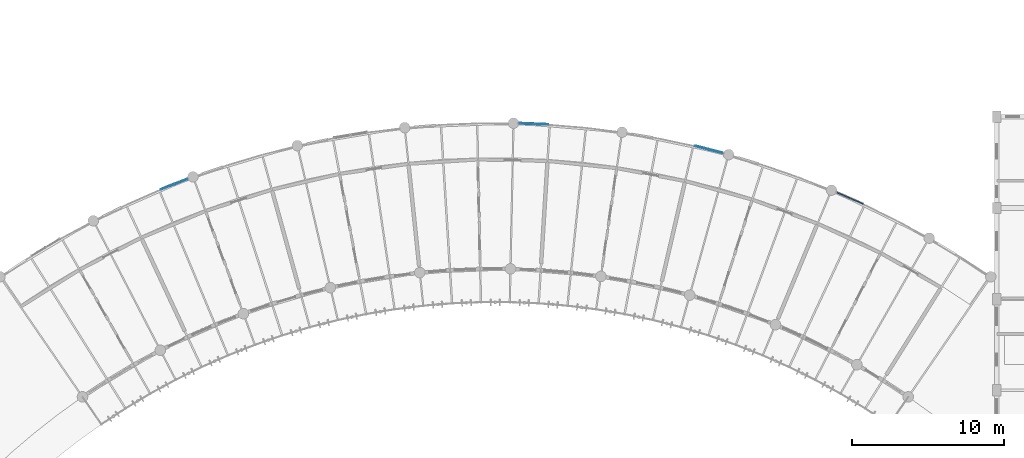
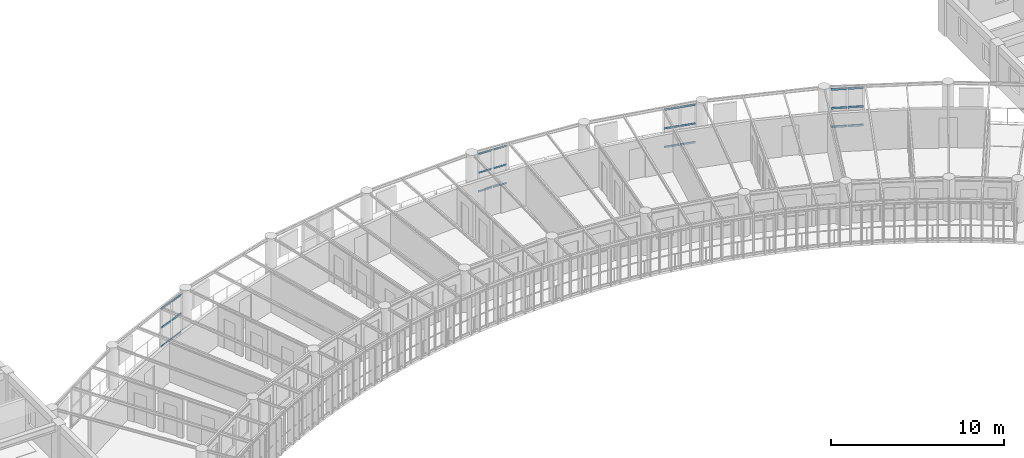
# One storey, part 42 of 100: 24 members, 4 elements without a shape of their own.
"""IFC4 building model written with IfcOpenShell, lengths in metres."""

from ifc_helpers import new_model, si_unit, direction, frame, origin, origin_2d, place, context, subcontext, project, spatial, rectangle, extrude, material, layer, layer_set, material_profile, profile_set, type_object, element, aggregate, save


model = new_model("IFC4")

# Units and contexts
model_context = context("Model", 3, precision=1e-05, world=origin(), true_north=direction((0.0, 1.0)))
body_context = subcontext(model_context, "Body", "Model", "MODEL_VIEW")
ifc_project = project(units=[si_unit("LENGTHUNIT", "METRE"), si_unit("AREAUNIT", "SQUARE_METRE"), si_unit("VOLUMEUNIT", "CUBIC_METRE"), si_unit("PLANEANGLEUNIT", "RADIAN"), si_unit("MASSUNIT", "GRAM", prefix="KILO"), si_unit("POWERUNIT", "WATT"), si_unit("THERMODYNAMICTEMPERATUREUNIT", "KELVIN")], contexts=[model_context])

# Site, building, storey
site_placement = place(None, origin())
site = spatial("IfcSite", under=ifc_project, at=site_placement, CompositionType="ELEMENT")
building_placement = place(site_placement, origin())
building = spatial("IfcBuilding", under=site, at=building_placement, Name="Ruvembo Vaulted Housing Court", CompositionType="ELEMENT")
storey_placement = place(building_placement, frame((0.0, 0.0, 10.89990234375)))
storey = spatial("IfcBuildingStorey", under=building, at=storey_placement, Name="L03", CompositionType="ELEMENT", Elevation=10.89990234375)

# Curtain wall, members
ifc_material_1 = material(Name="Anodised Aluminium and Solar-Control Glass", Category="aluminium")
ifc_layer_1 = layer(ifc_material_1, 0.1201171875, Name="Anodised Aluminium and Solar-Control Glass")
ifc_layer_set_1 = layer_set([ifc_layer_1], Name="Anodised Aluminium and Solar-Control Glass")
curtain_wall_type_1 = type_object("IfcCurtainWallType", Name="CW-SCOOP-GAL", PredefinedType="NOTDEFINED", material=ifc_layer_set_1)
curtain_wall_1_placement = place(storey_placement, origin())
curtain_wall_1 = element("IfcCurtainWall", 1, at=curtain_wall_1_placement, inside=storey, type_object=curtain_wall_type_1, Name="L03 Curtain Wall CW-L03-0072", PredefinedType="NOTDEFINED")
ifc_material_2 = material(Name="Anodised Aluminium 6063-T6", Category="aluminium")
ifc_material_profile_1 = material_profile(ifc_material_2, rectangle(XDim=0.06005859375, YDim=0.1201171875, at=origin_2d()), Name="ALU 60x120")
ifc_profile_set_1 = profile_set([ifc_material_profile_1], Name="Anodised Aluminium 6063-T6")
member_type_1 = type_object("IfcMemberType", Name="CW-TRANSOM-65x120", PredefinedType="USERDEFINED", material=ifc_profile_set_1)
member_1_placement = place(storey_placement, frame((94.97216796875, 103.218994140625, 0.030029296875), z_axis=(0.930948034187, 0.365151691277, 0.0), x_axis=(-0.365151691277, 0.930948034187, 0.0)))
member_1 = element("IfcMember", 2, at=member_1_placement, type_object=member_type_1, Name="CW6 transom 1.1", ObjectType="TRANSOM", PredefinedType="USERDEFINED", context=body_context, shape_type="SweptSolid", body=[
    extrude(rectangle(XDim=0.06005859375, YDim=0.1201171875, at=origin_2d()), origin(), (0.0, 0.0, 1.0), 0.9052734375),
])
member_2_placement = place(storey_placement, frame((94.97216796875, 103.218994140625, 1.34912109375), z_axis=(0.930948034187, 0.365151691277, 0.0), x_axis=(-0.365151691277, 0.930948034187, 0.0)))
member_2 = element("IfcMember", 3, at=member_2_placement, type_object=member_type_1, Name="CW6 transom 1.2", ObjectType="TRANSOM", PredefinedType="USERDEFINED", context=body_context, shape_type="SweptSolid", body=[
    extrude(rectangle(XDim=0.06005859375, YDim=0.1201171875, at=origin_2d()), origin(), (0.0, 0.0, 1.0), 0.9052734375),
])
member_3_placement = place(storey_placement, frame((94.97216796875, 103.218994140625, 2.668212890625), z_axis=(0.930948034187, 0.365151691277, 0.0), x_axis=(-0.365151691277, 0.930948034187, 0.0)))
member_3 = element("IfcMember", 4, at=member_3_placement, type_object=member_type_1, Name="CW6 transom 1.3", ObjectType="TRANSOM", PredefinedType="USERDEFINED", context=body_context, shape_type="SweptSolid", body=[
    extrude(rectangle(XDim=0.06005859375, YDim=0.1201171875, at=origin_2d()), origin(), (0.0, 0.0, 1.0), 0.9052734375),
])
member_4_placement = place(storey_placement, frame((95.870849609375, 103.571533203125, 0.030029296875), z_axis=(0.930948034187, 0.365151691277, 0.0), x_axis=(-0.365151691277, 0.930948034187, 0.0)))
member_4 = element("IfcMember", 5, at=member_4_placement, type_object=member_type_1, Name="CW6 transom 2.1", ObjectType="TRANSOM", PredefinedType="USERDEFINED", context=body_context, shape_type="SweptSolid", body=[
    extrude(rectangle(XDim=0.06005859375, YDim=0.1201171875, at=origin_2d()), origin(), (0.0, 0.0, 1.0), 0.9052734375),
])
member_5_placement = place(storey_placement, frame((95.870849609375, 103.571533203125, 1.34912109375), z_axis=(0.930948034187, 0.365151691277, 0.0), x_axis=(-0.365151691277, 0.930948034187, 0.0)))
member_5 = element("IfcMember", 6, at=member_5_placement, type_object=member_type_1, Name="CW6 transom 2.2", ObjectType="TRANSOM", PredefinedType="USERDEFINED", context=body_context, shape_type="SweptSolid", body=[
    extrude(rectangle(XDim=0.06005859375, YDim=0.1201171875, at=origin_2d()), origin(), (0.0, 0.0, 1.0), 0.9052734375),
])
member_6_placement = place(storey_placement, frame((95.870849609375, 103.571533203125, 2.668212890625), z_axis=(0.930948034187, 0.365151691277, 0.0), x_axis=(-0.365151691277, 0.930948034187, 0.0)))
member_6 = element("IfcMember", 7, at=member_6_placement, type_object=member_type_1, Name="CW6 transom 2.3", ObjectType="TRANSOM", PredefinedType="USERDEFINED", context=body_context, shape_type="SweptSolid", body=[
    extrude(rectangle(XDim=0.06005859375, YDim=0.1201171875, at=origin_2d()), origin(), (0.0, 0.0, 1.0), 0.9052734375),
])
aggregate(curtain_wall_1, [member_1, member_2, member_3, member_4, member_5, member_6])

ifc_layer_2 = layer(ifc_material_1, 0.139892578125, Name="Anodised Aluminium and Solar-Control Glass")
ifc_layer_set_2 = layer_set([ifc_layer_2], Name="Anodised Aluminium and Solar-Control Glass")
curtain_wall_type_2 = type_object("IfcCurtainWallType", Name="CW-SCOOP-PAN", PredefinedType="NOTDEFINED", material=ifc_layer_set_2)
curtain_wall_2_placement = place(storey_placement, origin())
curtain_wall_2 = element("IfcCurtainWall", 8, at=curtain_wall_2_placement, inside=storey, type_object=curtain_wall_type_2, Name="L03 Curtain Wall CW-L03-0075", PredefinedType="NOTDEFINED")
member_7_placement = place(storey_placement, frame((130.138427734375, 106.079345703125, 0.030029296875), z_axis=(0.969191258383, -0.246309367817, 0.0), x_axis=(0.246309367817, 0.969191258383, 0.0)))
member_7 = element("IfcMember", 9, at=member_7_placement, type_object=member_type_1, Name="CW10 transom 1.1", ObjectType="TRANSOM", PredefinedType="USERDEFINED", context=body_context, shape_type="SweptSolid", body=[
    extrude(rectangle(XDim=0.06005859375, YDim=0.1201171875, at=origin_2d()), origin(), (0.0, 0.0, 1.0), 0.912841796875),
])
member_8_placement = place(storey_placement, frame((130.138427734375, 106.079345703125, 1.34912109375), z_axis=(0.969191258383, -0.246309367817, 0.0), x_axis=(0.246309367817, 0.969191258383, 0.0)))
member_8 = element("IfcMember", 10, at=member_8_placement, type_object=member_type_1, Name="CW10 transom 1.2", ObjectType="TRANSOM", PredefinedType="USERDEFINED", context=body_context, shape_type="SweptSolid", body=[
    extrude(rectangle(XDim=0.06005859375, YDim=0.1201171875, at=origin_2d()), origin(), (0.0, 0.0, 1.0), 0.912841796875),
])
member_9_placement = place(storey_placement, frame((130.138427734375, 106.079345703125, 2.668212890625), z_axis=(0.969191258383, -0.246309367817, 0.0), x_axis=(0.246309367817, 0.969191258383, 0.0)))
member_9 = element("IfcMember", 11, at=member_9_placement, type_object=member_type_1, Name="CW10 transom 1.3", ObjectType="TRANSOM", PredefinedType="USERDEFINED", context=body_context, shape_type="SweptSolid", body=[
    extrude(rectangle(XDim=0.06005859375, YDim=0.1201171875, at=origin_2d()), origin(), (0.0, 0.0, 1.0), 0.912841796875),
])
member_10_placement = place(storey_placement, frame((131.076416015625, 105.8408203125, 0.030029296875), z_axis=(0.969191258383, -0.246309367817, 0.0), x_axis=(0.246309367817, 0.969191258383, 0.0)))
member_10 = element("IfcMember", 12, at=member_10_placement, type_object=member_type_1, Name="CW10 transom 2.1", ObjectType="TRANSOM", PredefinedType="USERDEFINED", context=body_context, shape_type="SweptSolid", body=[
    extrude(rectangle(XDim=0.06005859375, YDim=0.1201171875, at=origin_2d()), origin(), (0.0, 0.0, 1.0), 0.912841796875),
])
member_11_placement = place(storey_placement, frame((131.076416015625, 105.8408203125, 1.34912109375), z_axis=(0.969191258383, -0.246309367817, 0.0), x_axis=(0.246309367817, 0.969191258383, 0.0)))
member_11 = element("IfcMember", 13, at=member_11_placement, type_object=member_type_1, Name="CW10 transom 2.2", ObjectType="TRANSOM", PredefinedType="USERDEFINED", context=body_context, shape_type="SweptSolid", body=[
    extrude(rectangle(XDim=0.06005859375, YDim=0.1201171875, at=origin_2d()), origin(), (0.0, 0.0, 1.0), 0.912841796875),
])
member_12_placement = place(storey_placement, frame((131.076416015625, 105.8408203125, 2.668212890625), z_axis=(0.969191258383, -0.246309367817, 0.0), x_axis=(0.246309367817, 0.969191258383, 0.0)))
member_12 = element("IfcMember", 14, at=member_12_placement, type_object=member_type_1, Name="CW10 transom 2.3", ObjectType="TRANSOM", PredefinedType="USERDEFINED", context=body_context, shape_type="SweptSolid", body=[
    extrude(rectangle(XDim=0.06005859375, YDim=0.1201171875, at=origin_2d()), origin(), (0.0, 0.0, 1.0), 0.912841796875),
])
aggregate(curtain_wall_2, [member_7, member_8, member_9, member_10, member_11, member_12])

curtain_wall_3_placement = place(storey_placement, origin())
curtain_wall_3 = element("IfcCurtainWall", 15, at=curtain_wall_3_placement, inside=storey, type_object=curtain_wall_type_1, Name="L03 Curtain Wall CW-L03-0074", PredefinedType="NOTDEFINED")
ifc_material_profile_2 = material_profile(ifc_material_2, rectangle(XDim=0.06005859375, YDim=0.10009765625, at=origin_2d()), Name="ALU 60x100")
ifc_profile_set_2 = profile_set([ifc_material_profile_2], Name="Anodised Aluminium 6063-T6")
member_type_2 = type_object("IfcMemberType", Name="CW-TRN-60x100", PredefinedType="USERDEFINED", material=ifc_profile_set_2)
member_13_placement = place(storey_placement, frame((118.610107421875, 107.5703125, 0.030029296875), z_axis=(0.999145284065, -0.041336440713, 0.0), x_axis=(0.041336440713, 0.999145284065, 0.0)))
member_13 = element("IfcMember", 16, at=member_13_placement, type_object=member_type_2, Name="CW6 transom 1.1", ObjectType="TRANSOM", PredefinedType="USERDEFINED", context=body_context, shape_type="SweptSolid", body=[
    extrude(rectangle(XDim=0.06005859375, YDim=0.10009765625, at=origin_2d()), origin(), (0.0, 0.0, 1.0), 0.897705078125),
])
member_14_placement = place(storey_placement, frame((118.610107421875, 107.5703125, 1.34912109375), z_axis=(0.999145284065, -0.041336440713, 0.0), x_axis=(0.041336440713, 0.999145284065, 0.0)))
member_14 = element("IfcMember", 17, at=member_14_placement, type_object=member_type_2, Name="CW6 transom 1.2", ObjectType="TRANSOM", PredefinedType="USERDEFINED", context=body_context, shape_type="SweptSolid", body=[
    extrude(rectangle(XDim=0.06005859375, YDim=0.10009765625, at=origin_2d()), origin(), (0.0, 0.0, 1.0), 0.897705078125),
])
member_15_placement = place(storey_placement, frame((118.610107421875, 107.5703125, 2.668212890625), z_axis=(0.999145284065, -0.041336440713, 0.0), x_axis=(0.041336440713, 0.999145284065, 0.0)))
member_15 = element("IfcMember", 18, at=member_15_placement, type_object=member_type_2, Name="CW6 transom 1.3", ObjectType="TRANSOM", PredefinedType="USERDEFINED", context=body_context, shape_type="SweptSolid", body=[
    extrude(rectangle(XDim=0.06005859375, YDim=0.10009765625, at=origin_2d()), origin(), (0.0, 0.0, 1.0), 0.897705078125),
])
member_16_placement = place(storey_placement, frame((119.572021484375, 107.530517578125, 0.030029296875), z_axis=(0.999134486069, -0.04159661942, 0.0), x_axis=(0.04159661942, 0.999134486069, 0.0)))
member_16 = element("IfcMember", 19, at=member_16_placement, type_object=member_type_2, Name="CW6 transom 2.1", ObjectType="TRANSOM", PredefinedType="USERDEFINED", context=body_context, shape_type="SweptSolid", body=[
    extrude(rectangle(XDim=0.06005859375, YDim=0.10009765625, at=origin_2d()), origin(), (0.0, 0.0, 1.0), 0.89794921875),
])
member_17_placement = place(storey_placement, frame((119.572021484375, 107.530517578125, 1.34912109375), z_axis=(0.999134486069, -0.04159661942, 0.0), x_axis=(0.04159661942, 0.999134486069, 0.0)))
member_17 = element("IfcMember", 20, at=member_17_placement, type_object=member_type_2, Name="CW6 transom 2.2", ObjectType="TRANSOM", PredefinedType="USERDEFINED", context=body_context, shape_type="SweptSolid", body=[
    extrude(rectangle(XDim=0.06005859375, YDim=0.10009765625, at=origin_2d()), origin(), (0.0, 0.0, 1.0), 0.89794921875),
])
member_18_placement = place(storey_placement, frame((119.572021484375, 107.530517578125, 2.668212890625), z_axis=(0.999134486069, -0.04159661942, 0.0), x_axis=(0.04159661942, 0.999134486069, 0.0)))
member_18 = element("IfcMember", 21, at=member_18_placement, type_object=member_type_2, Name="CW6 transom 2.3", ObjectType="TRANSOM", PredefinedType="USERDEFINED", context=body_context, shape_type="SweptSolid", body=[
    extrude(rectangle(XDim=0.06005859375, YDim=0.10009765625, at=origin_2d()), origin(), (0.0, 0.0, 1.0), 0.89794921875),
])
aggregate(curtain_wall_3, [member_13, member_14, member_15, member_16, member_17, member_18])

curtain_wall_4_placement = place(storey_placement, origin())
curtain_wall_4 = element("IfcCurtainWall", 22, at=curtain_wall_4_placement, inside=storey, type_object=curtain_wall_type_2, Name="L03 Curtain Wall CW-L03-0076", PredefinedType="NOTDEFINED")
ifc_material_profile_3 = material_profile(ifc_material_2, rectangle(XDim=0.06494140625, YDim=0.135009765625, at=origin_2d()), Name="ALU 65x135")
ifc_profile_set_3 = profile_set([ifc_material_profile_3], Name="Anodised Aluminium 6063-T6")
member_type_3 = type_object("IfcMemberType", Name="CW-TRN-65x135", PredefinedType="USERDEFINED", material=ifc_profile_set_3)
member_19_placement = place(storey_placement, frame((139.505615234375, 103.013671875, 0.03271484375), z_axis=(0.915008581503, -0.403434376047, 0.0), x_axis=(0.403434376047, 0.915008581503, 0.0)))
member_19 = element("IfcMember", 23, at=member_19_placement, type_object=member_type_3, Name="CW10 transom 1.1", ObjectType="TRANSOM", PredefinedType="USERDEFINED", context=body_context, shape_type="SweptSolid", body=[
    extrude(rectangle(XDim=0.06494140625, YDim=0.135009765625, at=origin_2d()), origin(), (0.0, 0.0, 1.0), 0.9052734375),
])
member_20_placement = place(storey_placement, frame((139.505615234375, 103.013671875, 1.34912109375), z_axis=(0.915008581503, -0.403434376047, 0.0), x_axis=(0.403434376047, 0.915008581503, 0.0)))
member_20 = element("IfcMember", 24, at=member_20_placement, type_object=member_type_3, Name="CW10 transom 1.2", ObjectType="TRANSOM", PredefinedType="USERDEFINED", context=body_context, shape_type="SweptSolid", body=[
    extrude(rectangle(XDim=0.06494140625, YDim=0.135009765625, at=origin_2d()), origin(), (0.0, 0.0, 1.0), 0.9052734375),
])
member_21_placement = place(storey_placement, frame((139.505615234375, 103.013671875, 2.66552734375), z_axis=(0.915008581503, -0.403434376047, 0.0), x_axis=(0.403434376047, 0.915008581503, 0.0)))
member_21 = element("IfcMember", 25, at=member_21_placement, type_object=member_type_3, Name="CW10 transom 1.3", ObjectType="TRANSOM", PredefinedType="USERDEFINED", context=body_context, shape_type="SweptSolid", body=[
    extrude(rectangle(XDim=0.06494140625, YDim=0.135009765625, at=origin_2d()), origin(), (0.0, 0.0, 1.0), 0.9052734375),
])
member_22_placement = place(storey_placement, frame((140.388916015625, 102.624267578125, 0.03271484375), z_axis=(0.91515194563, -0.403109062674, 0.0), x_axis=(0.403109062674, 0.91515194563, 0.0)))
member_22 = element("IfcMember", 26, at=member_22_placement, type_object=member_type_3, Name="CW10 transom 2.1", ObjectType="TRANSOM", PredefinedType="USERDEFINED", context=body_context, shape_type="SweptSolid", body=[
    extrude(rectangle(XDim=0.06494140625, YDim=0.135009765625, at=origin_2d()), origin(), (0.0, 0.0, 1.0), 0.905517578125),
])
member_23_placement = place(storey_placement, frame((140.388916015625, 102.624267578125, 1.34912109375), z_axis=(0.91515194563, -0.403109062674, 0.0), x_axis=(0.403109062674, 0.91515194563, 0.0)))
member_23 = element("IfcMember", 27, at=member_23_placement, type_object=member_type_3, Name="CW10 transom 2.2", ObjectType="TRANSOM", PredefinedType="USERDEFINED", context=body_context, shape_type="SweptSolid", body=[
    extrude(rectangle(XDim=0.06494140625, YDim=0.135009765625, at=origin_2d()), origin(), (0.0, 0.0, 1.0), 0.905517578125),
])
member_24_placement = place(storey_placement, frame((140.388916015625, 102.624267578125, 2.66552734375), z_axis=(0.91515194563, -0.403109062674, 0.0), x_axis=(0.403109062674, 0.91515194563, 0.0)))
member_24 = element("IfcMember", 28, at=member_24_placement, type_object=member_type_3, Name="CW10 transom 2.3", ObjectType="TRANSOM", PredefinedType="USERDEFINED", context=body_context, shape_type="SweptSolid", body=[
    extrude(rectangle(XDim=0.06494140625, YDim=0.135009765625, at=origin_2d()), origin(), (0.0, 0.0, 1.0), 0.905517578125),
])
aggregate(curtain_wall_4, [member_19, member_20, member_21, member_22, member_23, member_24])

save(model, "model.ifc")
